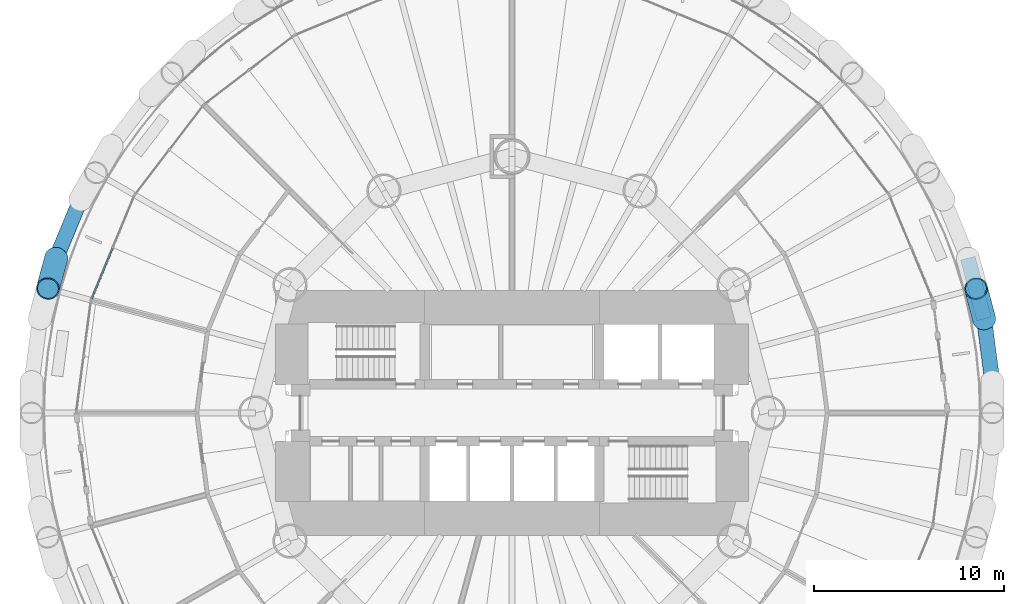
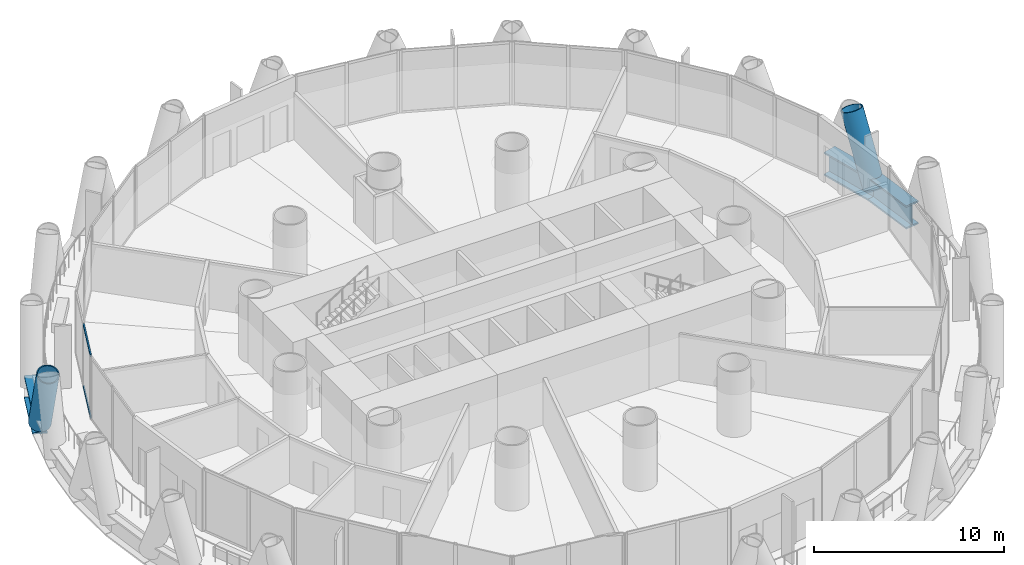
# One storey, part 5 of 16: 4 members, 3 beams, 1 element without a shape of its own.
"""IFC4 building model written with IfcOpenShell, lengths in metres."""

from ifc_helpers import new_model, si_unit, direction, frame, origin, origin_2d, place, context, subcontext, project, spatial, rectangle, hollow_circle, i_section, extrude, material, material_profile, profile_set, type_object, element, aggregate, save


model = new_model("IFC4")

# Units and contexts
model_context = context("Model", 3, precision=1e-05, world=origin(), true_north=direction((0.0, 1.0)))
body_context = subcontext(model_context, "Body", "Model", "MODEL_VIEW")
ifc_project = project(units=[si_unit("LENGTHUNIT", "METRE"), si_unit("AREAUNIT", "SQUARE_METRE"), si_unit("VOLUMEUNIT", "CUBIC_METRE"), si_unit("PLANEANGLEUNIT", "RADIAN"), si_unit("MASSUNIT", "GRAM", prefix="KILO")], contexts=[model_context])

# Site, building, storey
site_placement = place(None, origin())
site = spatial("IfcSite", under=ifc_project, at=site_placement, CompositionType="ELEMENT")
building_placement = place(site_placement, origin())
building = spatial("IfcBuilding", under=site, at=building_placement, Name="Qaws Media Tower", CompositionType="ELEMENT")
storey_placement = place(building_placement, frame((0.0, 0.0, 105.800048828125)))
storey = spatial("IfcBuildingStorey", under=building, at=storey_placement, Name="L23", CompositionType="ELEMENT", Elevation=105.800048828125)

# Curtain wall, members
ifc_material_1 = material(Name="Aluminium and clear glass", Category="aluminium")
curtain_wall_type = type_object("IfcCurtainWallType", Name="Unitised curtain wall CW-B", PredefinedType="NOTDEFINED", material=ifc_material_1)
curtain_wall_placement = place(storey_placement, origin())
curtain_wall = element("IfcCurtainWall", 1, at=curtain_wall_placement, inside=storey, type_object=curtain_wall_type, Name="CWB curtain wall L23-11", PredefinedType="NOTDEFINED")
ifc_material_2 = material(Name="Aluminium transom", Category="aluminium")
ifc_material_profile_1 = material_profile(ifc_material_2, rectangle(XDim=0.080078125, YDim=0.159912109375, at=origin_2d()), Name="80x160")
ifc_profile_set_1 = profile_set([ifc_material_profile_1], Name="Aluminium transom")
member_type_1 = type_object("IfcMemberType", Name="Curtain wall transom 80x160", PredefinedType="USERDEFINED", material=ifc_profile_set_1)
member_1_placement = place(storey_placement, frame((38.963134765625, 58.67041015625, 0.0400390625), z_axis=(-0.382751715461, -0.92385124577, 0.0), x_axis=(0.92385124577, -0.382751715461, 0.0)))
member_1 = element("IfcMember", 2, at=member_1_placement, type_object=member_type_1, Name="CWB transom 2.1", ObjectType="TRANSOM", PredefinedType="USERDEFINED", context=body_context, shape_type="SweptSolid", body=[
    extrude(rectangle(XDim=0.080078125, YDim=0.159912109375, at=origin_2d()), origin(), (0.0, 0.0, 1.0), 2.87548828125),
])
member_2_placement = place(storey_placement, frame((38.963134765625, 58.67041015625, 4.0), z_axis=(-0.382751715461, -0.92385124577, 0.0), x_axis=(0.92385124577, -0.382751715461, 0.0)))
member_2 = element("IfcMember", 3, at=member_2_placement, type_object=member_type_1, Name="CWB transom 2.2", ObjectType="TRANSOM", PredefinedType="USERDEFINED", context=body_context, shape_type="SweptSolid", body=[
    extrude(rectangle(XDim=0.080078125, YDim=0.159912109375, at=origin_2d()), origin(), (0.0, 0.0, 1.0), 2.87548828125),
])
aggregate(curtain_wall, [member_1, member_2])

# Members
ifc_material_3 = material(Name="Steel S460", Category="steel")
ifc_material_profile_2 = material_profile(ifc_material_3, hollow_circle(Radius=0.609619140625, WallThickness=0.06005859375, at=origin_2d()), Name="CHS 1219x60")
ifc_profile_set_2 = profile_set([ifc_material_profile_2], Name="Steel S460")
member_type_2 = type_object("IfcMemberType", Name="Diagrid member CHS 1219x60", PredefinedType="USERDEFINED", material=ifc_profile_set_2)
for number, where, z_axis, x_axis, name in (
    (4, (84.86279296875, 54.945556640625, -0.91015625), (-0.094075866241, 0.354893095406, 0.93016161081), (-0.966615169187, -0.256232540278, 0.0), "DG1 diagrid L23 A01"),
    (5, (35.995361328125, 58.1484375, -0.91015625), (-0.095967502009, -0.354403929954, 0.930154875809), (0.965237982037, -0.261372603831, 0.0), "DG1 diagrid L23 A11"),
):
    element("IfcMember", number, at=place(storey_placement, frame(where, z_axis=z_axis, x_axis=x_axis)), inside=storey, type_object=member_type_2, Name=name, ObjectType="DIAGRID", PredefinedType="USERDEFINED", context=body_context, shape_type="SweptSolid", body=[
        extrude(hollow_circle(Radius=0.609619140625, WallThickness=0.06005859375, at=origin_2d()), origin(), (0.0, 0.0, 1.0), 4.515625),
    ])

# Beams
ifc_material_4 = material(Name="Steel S460", Category="steel")
ifc_material_profile_3 = material_profile(ifc_material_4, i_section(OverallWidth=0.800048828125, OverallDepth=1.5, WebThickness=0.0400390625, FlangeThickness=0.10009765625, at=origin_2d()), Name="PG 1500x800")
ifc_profile_set_3 = profile_set([ifc_material_profile_3], Name="Steel S460")
beam_type = type_object("IfcBeamType", Name="Edge ring beam PG 1500x800", PredefinedType="BEAM", material=ifc_profile_set_3)
for number, where, z_axis, x_axis, name in (
    (6, (85.295654296875, 51.657958984375, -0.91015625), (-0.130538312051, 0.991443265692, 0.0), (-0.991443265692, -0.130538312051, 0.0), "RB7 edge ring beam L23-01"),
    (7, (84.86279296875, 54.945556640625, -0.91015625), (-0.258803557142, 0.965929976143, 0.0), (-0.965929976143, -0.258803557142, 0.0), "RB7 edge ring beam L23-02"),
    (8, (37.26416015625, 61.2119140625, -0.91015625), (-0.382648754837, -0.923893895651, 0.0), (0.923893895651, -0.382648754837, 0.0), "RB7 edge ring beam L23-21"),
):
    element("IfcBeam", number, at=place(storey_placement, frame(where, z_axis=z_axis, x_axis=x_axis)), inside=storey, type_object=beam_type, Name=name, PredefinedType="BEAM", context=body_context, shape_type="SweptSolid", body=[
        extrude(i_section(OverallWidth=0.800048828125, OverallDepth=1.5, WebThickness=0.0400390625, FlangeThickness=0.10009765625, at=origin_2d()), origin(), (0.0, 0.0, 1.0), 3.31591796875),
    ])

save(model, "model.ifc")
